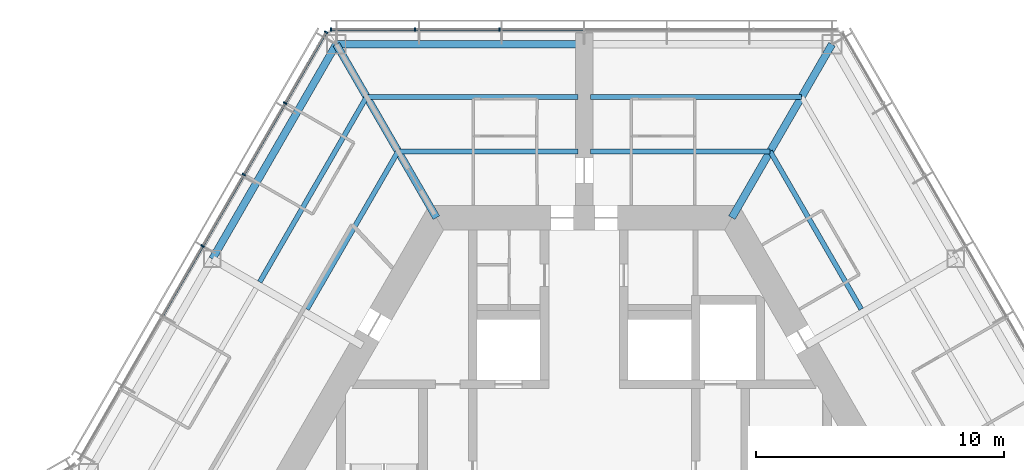
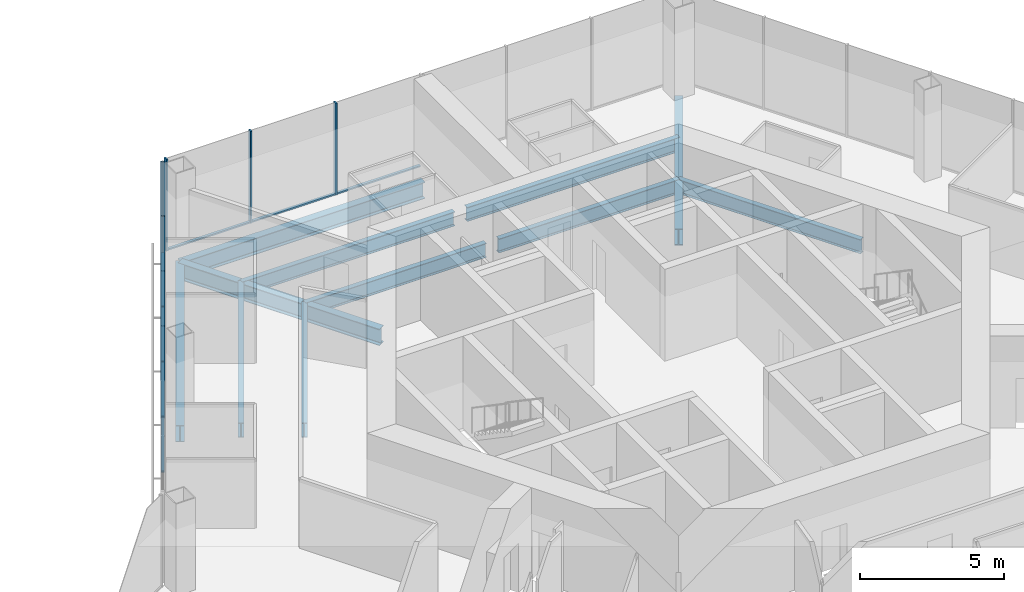
# One storey, part 7 of 18: 14 members, 11 beams, 2 elements without a shape of their own.
"""IFC4 building model written with IfcOpenShell, lengths in metres."""

from ifc_helpers import new_model, si_unit, direction, frame, origin, origin_2d, place, context, subcontext, project, spatial, rectangle, i_section, extrude, material, material_profile, profile_set, type_object, element, aggregate, save


model = new_model("IFC4")

# Units and contexts
model_context = context("Model", 3, precision=1e-05, world=origin(), true_north=direction((0.0, 1.0)))
body_context = subcontext(model_context, "Body", "Model", "MODEL_VIEW")
ifc_project = project(units=[si_unit("LENGTHUNIT", "METRE"), si_unit("AREAUNIT", "SQUARE_METRE"), si_unit("VOLUMEUNIT", "CUBIC_METRE"), si_unit("PLANEANGLEUNIT", "RADIAN"), si_unit("MASSUNIT", "GRAM", prefix="KILO")], contexts=[model_context])

# Site, building, storey
site_placement = place(None, origin())
site = spatial("IfcSite", under=ifc_project, at=site_placement, CompositionType="ELEMENT")
building_placement = place(site_placement, origin())
building = spatial("IfcBuilding", under=site, at=building_placement, Name="Kasaneha Research Tower", CompositionType="ELEMENT")
storey_placement = place(building_placement, frame((0.0, 0.0, 183.800048828125)))
storey = spatial("IfcBuildingStorey", under=building, at=storey_placement, Name="L46", CompositionType="ELEMENT", Elevation=183.800048828125)

# Beams
ifc_material_1 = material(Name="Steel SN490B", Category="steel")
ifc_material_profile_1 = material_profile(ifc_material_1, i_section(OverallWidth=0.199951171875, OverallDepth=0.60009765625, WebThickness=0.010986328125, FlangeThickness=0.01708984375, FilletRadius=0.012939453125, at=origin_2d()), Name="H-600x200x11x17")
ifc_profile_set_1 = profile_set([ifc_material_profile_1], Name="Steel SN490B")
beam_type_1 = type_object("IfcBeamType", Name="B1-3 secondary beam H-600x200x11x17", PredefinedType="JOIST", material=ifc_profile_set_1)
beam_1_placement = place(storey_placement, frame((7.505615234375, 13.0, -0.449951171875), z_axis=(0.499994443168, -0.866028611999, 0.0), x_axis=(0.866028611999, 0.499994443168, 0.0)))
element("IfcBeam", 1, at=beam_1_placement, inside=storey, type_object=beam_type_1, Name="Secondary beam RS030R1 L46", PredefinedType="JOIST", context=body_context, shape_type="SweptSolid", body=[
    extrude(i_section(OverallWidth=0.199951171875, OverallDepth=0.60009765625, WebThickness=0.010986328125, FlangeThickness=0.01708984375, FilletRadius=0.012939453125, at=origin_2d()), origin(), (0.0, 0.0, 1.0), 7.35546875),
])
beam_2_placement = place(storey_placement, frame((7.505615234375, 13.0, -0.449951171875), z_axis=(-1.0, 0.0, 0.0), x_axis=(0.0, -1.0, 0.0)))
element("IfcBeam", 2, at=beam_2_placement, inside=storey, type_object=beam_type_1, Name="Secondary beam RS090L1 L46", PredefinedType="JOIST", context=body_context, shape_type="SweptSolid", body=[
    extrude(i_section(OverallWidth=0.199951171875, OverallDepth=0.60009765625, WebThickness=0.010986328125, FlangeThickness=0.01708984375, FilletRadius=0.012939453125, at=origin_2d()), origin(), (0.0, 0.0, 1.0), 7.255615234375),
])
beam_3_placement = place(storey_placement, frame((8.775634765625, 15.199951171875, -0.449951171875), z_axis=(-1.0, 0.0, 0.0), x_axis=(0.0, -1.0, 0.0)))
element("IfcBeam", 3, at=beam_3_placement, inside=storey, type_object=beam_type_1, Name="Secondary beam RS090L2 L46", PredefinedType="JOIST", context=body_context, shape_type="SweptSolid", body=[
    extrude(i_section(OverallWidth=0.199951171875, OverallDepth=0.60009765625, WebThickness=0.010986328125, FlangeThickness=0.01708984375, FilletRadius=0.012939453125, at=origin_2d()), origin(), (0.0, 0.0, 1.0), 8.525634765625),
])
beam_4_placement = place(storey_placement, frame((-7.505615234375, 13.0, -0.449951171875), z_axis=(1.0, 0.0, 0.0), x_axis=(0.0, 1.0, 0.0)))
element("IfcBeam", 4, at=beam_4_placement, inside=storey, type_object=beam_type_1, Name="Secondary beam RS090R1 L46", PredefinedType="JOIST", context=body_context, shape_type="SweptSolid", body=[
    extrude(i_section(OverallWidth=0.199951171875, OverallDepth=0.60009765625, WebThickness=0.010986328125, FlangeThickness=0.01708984375, FilletRadius=0.012939453125, at=origin_2d()), origin(), (0.0, 0.0, 1.0), 7.255615234375),
])
beam_5_placement = place(storey_placement, frame((-8.775634765625, 15.199951171875, -0.449951171875), z_axis=(1.0, 0.0, 0.0), x_axis=(0.0, 1.0, 0.0)))
element("IfcBeam", 5, at=beam_5_placement, inside=storey, type_object=beam_type_1, Name="Secondary beam RS090R2 L46", PredefinedType="JOIST", context=body_context, shape_type="SweptSolid", body=[
    extrude(i_section(OverallWidth=0.199951171875, OverallDepth=0.60009765625, WebThickness=0.010986328125, FlangeThickness=0.01708984375, FilletRadius=0.012939453125, at=origin_2d()), origin(), (0.0, 0.0, 1.0), 8.525634765625),
])
beam_6_placement = place(storey_placement, frame((-7.505615234375, 13.0, -0.449951171875), z_axis=(-0.499994443168, -0.866028611999, 0.0), x_axis=(0.866028611999, -0.499994443168, 0.0)))
element("IfcBeam", 6, at=beam_6_placement, inside=storey, type_object=beam_type_1, Name="Secondary beam RS150L1 L46", PredefinedType="JOIST", context=body_context, shape_type="SweptSolid", body=[
    extrude(i_section(OverallWidth=0.199951171875, OverallDepth=0.60009765625, WebThickness=0.010986328125, FlangeThickness=0.01708984375, FilletRadius=0.012939453125, at=origin_2d()), origin(), (0.0, 0.0, 1.0), 7.35546875),
])
beam_7_placement = place(storey_placement, frame((-8.775634765625, 15.199951171875, -0.449951171875), z_axis=(-0.500017275495, -0.866015429543, 0.0), x_axis=(0.866015429543, -0.500017275495, 0.0)))
element("IfcBeam", 7, at=beam_7_placement, inside=storey, type_object=beam_type_1, Name="Secondary beam RS150L2 L46", PredefinedType="JOIST", context=body_context, shape_type="SweptSolid", body=[
    extrude(i_section(OverallWidth=0.199951171875, OverallDepth=0.60009765625, WebThickness=0.010986328125, FlangeThickness=0.01708984375, FilletRadius=0.012939453125, at=origin_2d()), origin(), (0.0, 0.0, 1.0), 8.625732421875),
])

# Curtain wall, members
ifc_material_2 = material(Name="Glass and aluminium", Category="aluminium")
curtain_wall_type = type_object("IfcCurtainWallType", Name="Mid-rise office curtain wall", PredefinedType="USERDEFINED", material=ifc_material_2)
curtain_wall_1_placement = place(storey_placement, origin())
curtain_wall_1 = element("IfcCurtainWall", 8, at=curtain_wall_1_placement, inside=storey, type_object=curtain_wall_type, Name="CW-O2 L46 run 07a", ObjectType="UNITISED CURTAIN WALL", PredefinedType="USERDEFINED")
ifc_material_3 = material(Name="Aluminium 6063-T6", Category="aluminium")
ifc_material_profile_2 = material_profile(ifc_material_3, rectangle(XDim=0.06005859375, YDim=0.14990234375, at=origin_2d()), Name="CW-O2 mullion 60x150")
ifc_profile_set_2 = profile_set([ifc_material_profile_2], Name="Aluminium 6063-T6")
member_type_1 = type_object("IfcMemberType", Name="CW-O2 mullion", PredefinedType="MULLION", material=ifc_profile_set_2)
member_1_placement = place(storey_placement, frame((-3.41552734375, 17.92041015625, 0.0), z_axis=(0.0, 0.0, 1.0), x_axis=(-1.0, 0.0, 0.0)))
member_1 = element("IfcMember", 9, at=member_1_placement, type_object=member_type_1, Name="CW-O2 mullion 5", PredefinedType="MULLION", context=body_context, shape_type="SweptSolid", body=[
    extrude(rectangle(XDim=0.06005859375, YDim=0.14990234375, at=origin_2d()), origin(), (0.0, 0.0, 1.0), 3.89990234375),
])
member_2_placement = place(storey_placement, frame((-6.8310546875, 17.92041015625, 0.0), z_axis=(0.0, 0.0, 1.0), x_axis=(-1.0, 0.0, 0.0)))
member_2 = element("IfcMember", 10, at=member_2_placement, type_object=member_type_1, Name="CW-O2 mullion 6", PredefinedType="MULLION", context=body_context, shape_type="SweptSolid", body=[
    extrude(rectangle(XDim=0.06005859375, YDim=0.14990234375, at=origin_2d()), origin(), (0.0, 0.0, 1.0), 3.89990234375),
])
member_3_placement = place(storey_placement, frame((-10.21630859375, 17.92041015625, 0.0), z_axis=(0.0, 0.0, 1.0), x_axis=(-1.0, 0.0, 0.0)))
member_3 = element("IfcMember", 11, at=member_3_placement, type_object=member_type_1, Name="CW-O2 mullion 7", PredefinedType="MULLION", context=body_context, shape_type="SweptSolid", body=[
    extrude(rectangle(XDim=0.06005859375, YDim=0.14990234375, at=origin_2d()), origin(), (0.0, 0.0, 1.0), 3.89990234375),
])

curtain_wall_2_placement = place(storey_placement, origin())
curtain_wall_2 = element("IfcCurtainWall", 12, at=curtain_wall_2_placement, inside=storey, type_object=curtain_wall_type, Name="CW-O2 L46 run 08a", ObjectType="UNITISED CURTAIN WALL", PredefinedType="USERDEFINED")
member_4_placement = place(storey_placement, frame((-10.411376953125, 17.807861328125, 0.0), z_axis=(0.0, 0.0, 1.0), x_axis=(-0.499999979232, -0.866025415775, 0.0)))
member_4 = element("IfcMember", 13, at=member_4_placement, type_object=member_type_1, Name="CW-O2 mullion 1", PredefinedType="MULLION", context=body_context, shape_type="SweptSolid", body=[
    extrude(rectangle(XDim=0.06005859375, YDim=0.14990234375, at=origin_2d()), origin(), (0.0, 0.0, 1.0), 3.89990234375),
])
member_5_placement = place(storey_placement, frame((-12.061767578125, 14.94921875, 0.0), z_axis=(0.0, 0.0, 1.0), x_axis=(-0.499999979232, -0.866025415775, 0.0)))
member_5 = element("IfcMember", 14, at=member_5_placement, type_object=member_type_1, Name="CW-O2 mullion 2", PredefinedType="MULLION", context=body_context, shape_type="SweptSolid", body=[
    extrude(rectangle(XDim=0.06005859375, YDim=0.14990234375, at=origin_2d()), origin(), (0.0, 0.0, 1.0), 3.89990234375),
])
member_6_placement = place(storey_placement, frame((-13.727294921875, 12.064453125, 0.0), z_axis=(0.0, 0.0, 1.0), x_axis=(-0.499999979232, -0.866025415775, 0.0)))
member_6 = element("IfcMember", 15, at=member_6_placement, type_object=member_type_1, Name="CW-O2 mullion 3", PredefinedType="MULLION", context=body_context, shape_type="SweptSolid", body=[
    extrude(rectangle(XDim=0.06005859375, YDim=0.14990234375, at=origin_2d()), origin(), (0.0, 0.0, 1.0), 3.89990234375),
])
member_7_placement = place(storey_placement, frame((-15.392822265625, 9.179931640625, 0.0), z_axis=(0.0, 0.0, 1.0), x_axis=(-0.499999979232, -0.866025415775, 0.0)))
member_7 = element("IfcMember", 16, at=member_7_placement, type_object=member_type_1, Name="CW-O2 mullion 4", PredefinedType="MULLION", context=body_context, shape_type="SweptSolid", body=[
    extrude(rectangle(XDim=0.06005859375, YDim=0.14990234375, at=origin_2d()), origin(), (0.0, 0.0, 1.0), 3.89990234375),
])

# Member
ifc_material_4 = material(Name="Aluminium 6063-T6", Category="aluminium")
ifc_material_profile_3 = material_profile(ifc_material_4, rectangle(XDim=0.110107421875, YDim=0.06005859375, at=origin_2d()), Name="CW-O2 transom 110x60")
ifc_profile_set_3 = profile_set([ifc_material_profile_3], Name="Aluminium 6063-T6")
member_type_2 = type_object("IfcMemberType", Name="CW-O2 transom", PredefinedType="USERDEFINED", material=ifc_profile_set_3)
member_8_placement = place(storey_placement, frame((-0.030029296875, 17.92041015625, 0.030029296875), z_axis=(-1.0, 0.0, 0.0), x_axis=(0.0, -1.0, 0.0)))
member_8 = element("IfcMember", 17, at=member_8_placement, type_object=member_type_2, Name="CW-O2 transom 4", ObjectType="TRANSOM", PredefinedType="USERDEFINED", context=body_context, shape_type="SweptSolid", body=[
    extrude(rectangle(XDim=0.110107421875, YDim=0.06005859375, at=origin_2d()), origin(), (0.0, 0.0, 1.0), 3.35546875),
])

member_9_placement = place(storey_placement, frame((-3.445556640625, 17.92041015625, 0.030029296875), z_axis=(-1.0, 0.0, 0.0), x_axis=(0.0, -1.0, 0.0)))
member_9 = element("IfcMember", 18, at=member_9_placement, type_object=member_type_2, Name="CW-O2 transom 5", ObjectType="TRANSOM", PredefinedType="USERDEFINED", context=body_context, shape_type="SweptSolid", body=[
    extrude(rectangle(XDim=0.110107421875, YDim=0.06005859375, at=origin_2d()), origin(), (0.0, 0.0, 1.0), 3.35546875),
])

member_10_placement = place(storey_placement, frame((-6.86083984375, 17.92041015625, 0.030029296875), z_axis=(-1.0, 0.0, 0.0), x_axis=(0.0, -1.0, 0.0)))
member_10 = element("IfcMember", 19, at=member_10_placement, type_object=member_type_2, Name="CW-O2 transom 6", ObjectType="TRANSOM", PredefinedType="USERDEFINED", context=body_context, shape_type="SweptSolid", body=[
    extrude(rectangle(XDim=0.110107421875, YDim=0.06005859375, at=origin_2d()), origin(), (0.0, 0.0, 1.0), 3.32568359375),
])

aggregate(curtain_wall_1, [member_1, member_2, member_3, member_8, member_9, member_10])

member_11_placement = place(storey_placement, frame((-10.426513671875, 17.781982421875, 0.030029296875), z_axis=(-0.499955025697, -0.866051368154, 0.0), x_axis=(0.866051368154, -0.499955025697, 0.0)))
member_11 = element("IfcMember", 20, at=member_11_placement, type_object=member_type_2, Name="CW-O2 transom 1", ObjectType="TRANSOM", PredefinedType="USERDEFINED", context=body_context, shape_type="SweptSolid", body=[
    extrude(rectangle(XDim=0.110107421875, YDim=0.06005859375, at=origin_2d()), origin(), (0.0, 0.0, 1.0), 3.240966796875),
])

member_12_placement = place(storey_placement, frame((-12.076904296875, 14.92333984375, 0.030029296875), z_axis=(-0.500000270186, -0.866025247793, 0.0), x_axis=(0.866025247793, -0.500000270186, 0.0)))
member_12 = element("IfcMember", 21, at=member_12_placement, type_object=member_type_2, Name="CW-O2 transom 2", ObjectType="TRANSOM", PredefinedType="USERDEFINED", context=body_context, shape_type="SweptSolid", body=[
    extrude(rectangle(XDim=0.110107421875, YDim=0.06005859375, at=origin_2d()), origin(), (0.0, 0.0, 1.0), 3.27099609375),
])

member_13_placement = place(storey_placement, frame((-13.742431640625, 12.03857421875, 0.030029296875), z_axis=(-0.500000270186, -0.866025247793, 0.0), x_axis=(0.866025247793, -0.500000270186, 0.0)))
member_13 = element("IfcMember", 22, at=member_13_placement, type_object=member_type_2, Name="CW-O2 transom 3", ObjectType="TRANSOM", PredefinedType="USERDEFINED", context=body_context, shape_type="SweptSolid", body=[
    extrude(rectangle(XDim=0.110107421875, YDim=0.06005859375, at=origin_2d()), origin(), (0.0, 0.0, 1.0), 3.27099609375),
])

member_14_placement = place(storey_placement, frame((-15.40771484375, 9.15380859375, 0.030029296875), z_axis=(-0.50003259116, -0.866006586452, 0.0), x_axis=(0.866006586452, -0.50003259116, 0.0)))
member_14 = element("IfcMember", 23, at=member_14_placement, type_object=member_type_2, Name="CW-O2 transom 4", ObjectType="TRANSOM", PredefinedType="USERDEFINED", context=body_context, shape_type="SweptSolid", body=[
    extrude(rectangle(XDim=0.110107421875, YDim=0.06005859375, at=origin_2d()), origin(), (0.0, 0.0, 1.0), 3.270751953125),
])

aggregate(curtain_wall_2, [member_4, member_5, member_6, member_7, member_11, member_12, member_13, member_14])

# Beams
ifc_material_5 = material(Name="Steel SN490B", Category="steel")
ifc_material_profile_4 = material_profile(ifc_material_5, i_section(OverallWidth=0.300048828125, OverallDepth=0.699951171875, WebThickness=0.012939453125, FlangeThickness=0.02392578125, FilletRadius=0.01806640625, at=origin_2d()), Name="H-700x300x13x24")
ifc_profile_set_4 = profile_set([ifc_material_profile_4], Name="Steel SN490B")
beam_type_2 = type_object("IfcBeamType", Name="G1-3 radial girder H-700x300x13x24", PredefinedType="BEAM", material=ifc_profile_set_4)
for number, where, z_axis, x_axis, name in (
    (24, (5.961181640625, 10.324951171875, -0.5), (0.49999105496, 0.866030568144, 0.0), (-0.866030568144, 0.49999105496, 0.0), "Radial girder RV060 L46"),
    (25, (-5.961181640625, 10.324951171875, -0.5), (-0.49999105496, 0.866030568144, 0.0), (-0.866030568144, -0.49999105496, 0.0), "Radial girder RV120 L46"),
):
    element("IfcBeam", number, at=place(storey_placement, frame(where, z_axis=z_axis, x_axis=x_axis)), inside=storey, type_object=beam_type_2, Name=name, PredefinedType="BEAM", context=body_context, shape_type="SweptSolid", body=[
        extrude(i_section(OverallWidth=0.300048828125, OverallDepth=0.699951171875, WebThickness=0.012939453125, FlangeThickness=0.02392578125, FilletRadius=0.01806640625, at=origin_2d()), origin(), (0.0, 0.0, 1.0), 8.077880859375),
    ])
ifc_material_6 = material(Name="Steel SN490B", Category="steel")
ifc_material_profile_5 = material_profile(ifc_material_6, i_section(OverallWidth=0.300048828125, OverallDepth=0.69189453125, WebThickness=0.012939453125, FlangeThickness=0.02001953125, FilletRadius=0.01806640625, at=origin_2d()), Name="H-692x300x13x20")
ifc_profile_set_5 = profile_set([ifc_material_profile_5], Name="Steel SN490B")
beam_type_3 = type_object("IfcBeamType", Name="G3-3 plate edge girder H-692x300x13x20", PredefinedType="BEAM", material=ifc_profile_set_5)
beam_8_placement = place(storey_placement, frame((-10.0, 17.320556640625, -0.49609375), z_axis=(1.0, 0.0, 0.0), x_axis=(0.0, 1.0, 0.0)))
element("IfcBeam", 26, at=beam_8_placement, inside=storey, type_object=beam_type_3, Name="Plate edge girder PEAN L46", PredefinedType="BEAM", context=body_context, shape_type="SweptSolid", body=[
    extrude(i_section(OverallWidth=0.300048828125, OverallDepth=0.69189453125, WebThickness=0.012939453125, FlangeThickness=0.02001953125, FilletRadius=0.01806640625, at=origin_2d()), origin(), (0.0, 0.0, 1.0), 9.75),
])
ifc_material_7 = material(Name="Steel SN490B", Category="steel")
ifc_material_profile_6 = material_profile(ifc_material_7, i_section(OverallWidth=0.300048828125, OverallDepth=0.69189453125, WebThickness=0.012939453125, FlangeThickness=0.02001953125, FilletRadius=0.01806640625, at=origin_2d()), Name="H-692x300x13x20")
ifc_profile_set_6 = profile_set([ifc_material_profile_6], Name="Steel SN490B")
beam_type_4 = type_object("IfcBeamType", Name="SB1-3 spandrel beam H-692x300x13x20", PredefinedType="SPANDREL", material=ifc_profile_set_6)
beam_9_placement = place(storey_placement, frame((-10.0, 17.320556640625, -0.49609375), z_axis=(-0.499993662806, -0.866029062534, 0.0), x_axis=(0.866029062534, -0.499993662806, 0.0)))
element("IfcBeam", 27, at=beam_9_placement, inside=storey, type_object=beam_type_4, Name="Spandrel beam SR150L L46", PredefinedType="SPANDREL", context=body_context, shape_type="SweptSolid", body=[
    extrude(i_section(OverallWidth=0.300048828125, OverallDepth=0.69189453125, WebThickness=0.012939453125, FlangeThickness=0.02001953125, FilletRadius=0.01806640625, at=origin_2d()), origin(), (0.0, 0.0, 1.0), 10.000244140625),
])

save(model, "model.ifc")
